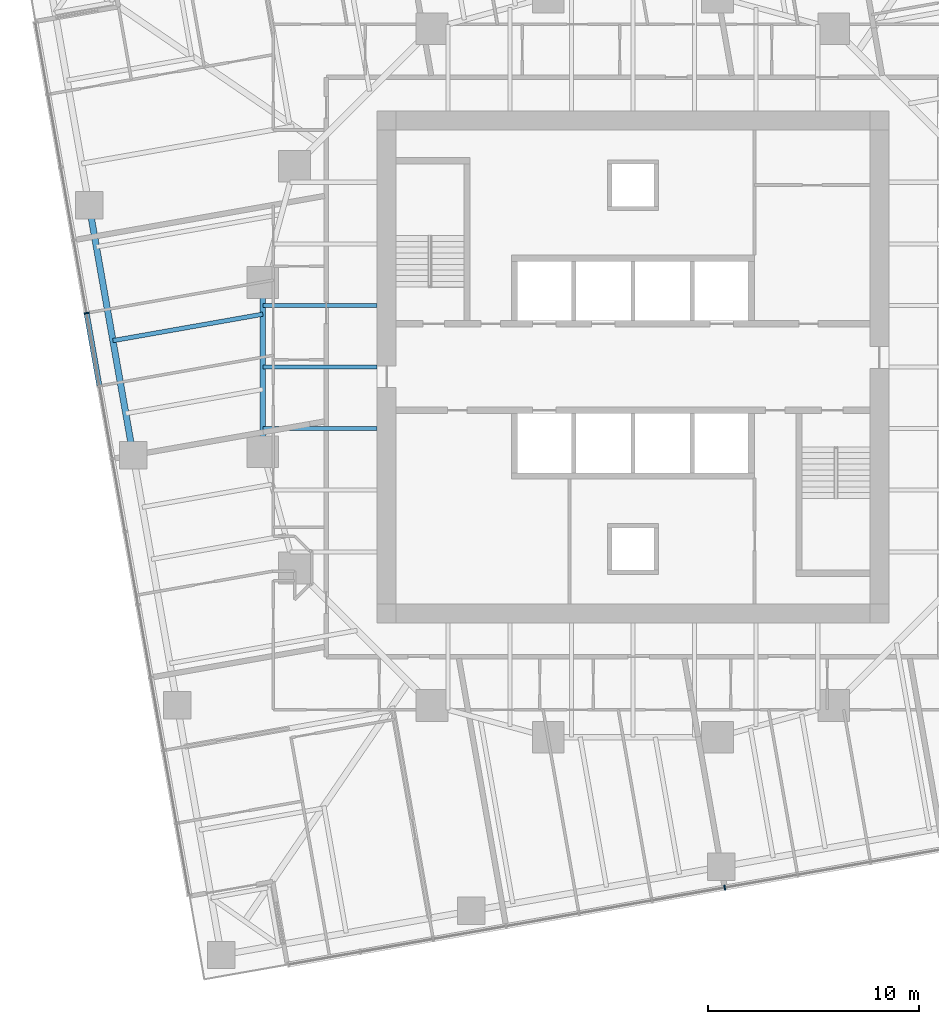
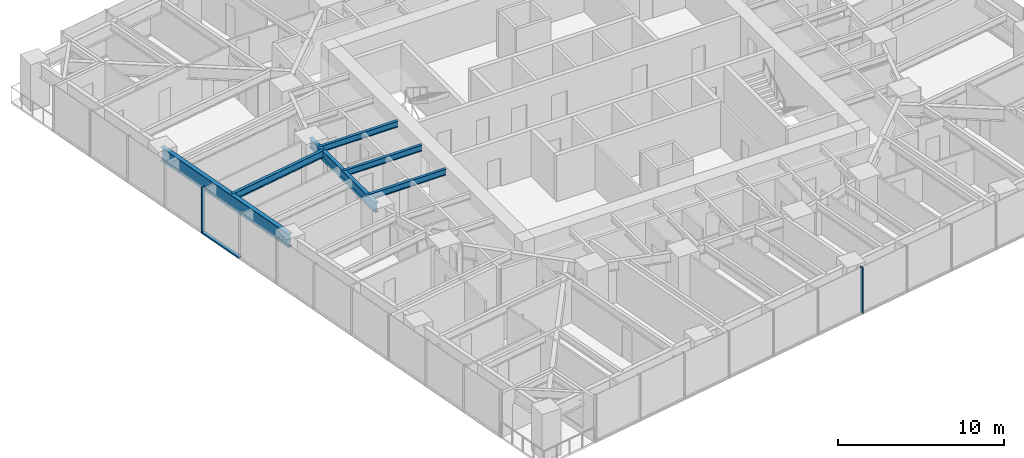
# One storey, part 3 of 14: 6 beams, 3 members, 2 elements without a shape of their own.
"""IFC4 building model written with IfcOpenShell, lengths in metres."""

import ifcopenshell
import ifcopenshell.guid

model = None  # the IFC model being written
_history = None  # IfcOwnerHistory: only IFC2X3 demands one
_inside = {}  # id of a spatial element -> (the spatial element, [elements in it])
_under = {}  # id of a project, library or spatial element -> (it, [spatial elements below it])
_declared = {}  # id of a project -> (the project, [libraries it declares])
_typed = {}  # id of a type object -> (the type object, [elements of that type])
_made_of = {}  # id of a material, layer set ... -> (it, [elements and type objects made of it])


def new_model(schema):
    """Start an empty IFC model of exactly this schema.

    Asked for "IFC4X3", IfcOpenShell would pick the latest addendum, in which some entities
    have other attributes; the version numbers below select the first issue.
    IFC2X3 requires an IfcOwnerHistory on every rooted entity: one is made here for all.
    """
    global model, _history
    if schema == "IFC4X3":
        model = ifcopenshell.file(schema_version=(4, 3, 0, 0))
    else:
        model = ifcopenshell.file(schema=schema)
    _inside.clear()
    _under.clear()
    _declared.clear()
    _typed.clear()
    _made_of.clear()
    _history = None
    if model.schema == "IFC2X3":
        org = make("IfcOrganization", Name="unknown")
        user = make(
            "IfcPersonAndOrganization",
            ThePerson=make("IfcPerson", FamilyName="unknown"),
            TheOrganization=org,
        )
        app = make(
            "IfcApplication",
            ApplicationDeveloper=org,
            Version="unknown",
            ApplicationFullName="unknown",
            ApplicationIdentifier="unknown",
        )
        _history = make(
            "IfcOwnerHistory",
            OwningUser=user,
            OwningApplication=app,
            ChangeAction="ADDED",
            CreationDate=0,
        )
    return model


def make(cls, **values):
    """One entity of the class cls with the attributes given. An attribute that is None is left unset."""
    return model.create_entity(
        cls, **{name: value for name, value in values.items() if value is not None}
    )


def rooted(cls, **values):
    """An entity with a GlobalId (a new one), such as an element, a storey or a relation."""
    return make(cls, GlobalId=ifcopenshell.guid.new(), OwnerHistory=_history, **values)


def si_unit(unit_type, name, prefix=None):
    """IfcSIUnit, for example si_unit("LENGTHUNIT", "METRE", prefix="MILLI")."""
    return make("IfcSIUnit", UnitType=unit_type, Prefix=prefix, Name=name)


def assignment(units):
    """IfcUnitAssignment: the units of a project."""
    return None if units is None else make("IfcUnitAssignment", Units=units)


def point(xyz):
    """IfcCartesianPoint."""
    return None if xyz is None else make("IfcCartesianPoint", Coordinates=xyz)


def direction(xyz):
    """IfcDirection."""
    return None if xyz is None else make("IfcDirection", DirectionRatios=xyz)


def frame(location, z_axis=None, x_axis=None):
    """IfcAxis2Placement3D, a coordinate frame: its origin and axes. An axis left out is left unset."""
    return make(
        "IfcAxis2Placement3D",
        Location=point(location),
        Axis=direction(z_axis),
        RefDirection=direction(x_axis),
    )


def frame_2d(location, x_axis=None):
    """IfcAxis2Placement2D, a coordinate frame in the plane: its origin and x axis."""
    return make(
        "IfcAxis2Placement2D", Location=point(location), RefDirection=direction(x_axis)
    )


def origin():
    """The frame at (0, 0, 0) with its axes left unset."""
    return frame((0.0, 0.0, 0.0))


def origin_2d():
    """The frame at (0, 0) in the plane with its x axis left unset."""
    return frame_2d((0.0, 0.0))


def place(relative_to, where):
    """IfcLocalPlacement: puts the frame where relative to a parent placement (None: the world)."""
    return make(
        "IfcLocalPlacement", PlacementRelTo=relative_to, RelativePlacement=where
    )


def context(
    kind, dimensions, precision=None, world=None, true_north=None, identifier=None
):
    """IfcGeometricRepresentationContext, for example the 3D "Model" context."""
    return make(
        "IfcGeometricRepresentationContext",
        ContextIdentifier=identifier,
        ContextType=kind,
        CoordinateSpaceDimension=dimensions,
        Precision=precision,
        WorldCoordinateSystem=world,
        TrueNorth=true_north,
    )


def subcontext(parent, identifier, kind, view, scale=None):
    """IfcGeometricRepresentationSubContext, for example "Body" below "Model"."""
    return make(
        "IfcGeometricRepresentationSubContext",
        ContextIdentifier=identifier,
        ContextType=kind,
        ParentContext=parent,
        TargetScale=scale,
        TargetView=view,
    )


def project(units=None, contexts=None):
    """IfcProject with its units and contexts."""
    return rooted(
        "IfcProject",
        Name="project",
        RepresentationContexts=contexts,
        UnitsInContext=assignment(units),
    )


def spatial(cls, under=None, at=None, **own):
    """A site, building, storey or space (cls), placed at a placement, below another one or the project."""
    s = rooted(cls, ObjectPlacement=at, **own)
    if under is not None:
        _under.setdefault(under.id(), (under, []))[1].append(s)
    return s


def profile(cls, at=None, kind="AREA", **sizes):
    """A parametric profile (cls). Its sizes go by their IFC names, for example OverallWidth=200.0."""
    return make(cls, ProfileType=kind, Position=at, **sizes)


def rectangle(**sizes):
    """IfcRectangleProfileDef."""
    return profile("IfcRectangleProfileDef", **sizes)


def i_section(**sizes):
    """IfcIShapeProfileDef."""
    return profile("IfcIShapeProfileDef", **sizes)


def extrude(swept, where, along, depth):
    """IfcExtrudedAreaSolid: the profile swept, set in the frame where, extruded along a direction by depth."""
    return make(
        "IfcExtrudedAreaSolid",
        SweptArea=swept,
        Position=where,
        ExtrudedDirection=direction(along),
        Depth=depth,
    )


def shape(context_of_items, identifier, shape_type, items):
    """IfcShapeRepresentation: the items that make up one representation, for example the "Body"."""
    return make(
        "IfcShapeRepresentation",
        ContextOfItems=context_of_items,
        RepresentationIdentifier=identifier,
        RepresentationType=shape_type,
        Items=items,
    )


def material(Name=None, Category=None):
    """IfcMaterial."""
    return make("IfcMaterial", Name=Name, Category=Category)


def material_profile(
    of_material, cross_section, Name=None, Category=None, Priority=None
):
    """IfcMaterialProfile: a cross section and its material."""
    return make(
        "IfcMaterialProfile",
        Name=Name,
        Material=of_material,
        Profile=cross_section,
        Priority=Priority,
        Category=Category,
    )


def profile_set(profiles, Name=None, composite=None):
    """IfcMaterialProfileSet."""
    return make(
        "IfcMaterialProfileSet",
        Name=Name,
        MaterialProfiles=profiles,
        CompositeProfile=composite,
    )


def made_of(thing, what):
    """Note that an element or type object is made of a material, layer set ...; save() writes the relation."""
    if what is not None:
        _made_of.setdefault(what.id(), (what, []))[1].append(thing)
    return thing


def type_object(cls, material=None, **own):
    """A type object (cls), such as IfcWallType, which elements share."""
    return made_of(rooted(cls, **own), material)


def element(
    cls,
    number,
    at=None,
    inside=None,
    cuts=None,
    type_object=None,
    material=None,
    context=None,
    identifier="Body",
    shape_type=None,
    held_by="IfcProductDefinitionShape",
    body=None,
    shapes=None,
    **own,
):
    """One element of the class cls, such as IfcWall. Its Tag is "e" and its number.

    at: its placement. inside: the storey or other place that contains it. cuts: it is an
    opening in that element (IfcRelVoidsElement). A single representation is given by context,
    identifier, shape_type and body (its items); several are given by shapes. held_by: the class
    of the entity that holds the representations. save() writes the other relations.
    """
    e = rooted(cls, Tag="e%d" % number, ObjectPlacement=at, **own)
    if body is not None:
        shapes = [shape(context, identifier, shape_type, body)]
    if shapes is not None:
        e.Representation = make(held_by, Representations=shapes)
    if inside is not None:
        _inside.setdefault(inside.id(), (inside, []))[1].append(e)
    if cuts is not None:
        rooted(
            "IfcRelVoidsElement", RelatingBuildingElement=cuts, RelatedOpeningElement=e
        )
    if type_object is not None:
        _typed.setdefault(type_object.id(), (type_object, []))[1].append(e)
    return made_of(e, material)


def aggregate(whole, parts):
    """IfcRelAggregates: a whole, such as a stair, and the parts it consists of."""
    return rooted("IfcRelAggregates", RelatingObject=whole, RelatedObjects=parts)


def save(model, path):
    """Write the relations noted so far, then the file.

    IfcRelAggregates (storeys below a building ...), IfcRelContainedInSpatialStructure (elements
    in a storey), IfcRelDefinesByType, IfcRelAssociatesMaterial and IfcRelDeclares: one each for
    every whole, place, type object, material and project.
    """
    for whole, parts in _under.values():
        aggregate(whole, parts)
    for where, things in _inside.values():
        rooted(
            "IfcRelContainedInSpatialStructure",
            RelatedElements=things,
            RelatingStructure=where,
        )
    for kind, things in _typed.values():
        rooted("IfcRelDefinesByType", RelatedObjects=things, RelatingType=kind)
    for what, things in _made_of.values():
        rooted("IfcRelAssociatesMaterial", RelatedObjects=things, RelatingMaterial=what)
    for by, libraries in _declared.values():
        rooted("IfcRelDeclares", RelatingContext=by, RelatedDefinitions=libraries)
    model.write(path)


model = new_model("IFC4")

# Units and contexts
model_context = context("Model", 3, precision=1e-05, world=origin(), true_north=direction((0.0, 1.0)))
body_context = subcontext(model_context, "Body", "Model", "MODEL_VIEW")
ifc_project = project(units=[si_unit("LENGTHUNIT", "METRE"), si_unit("AREAUNIT", "SQUARE_METRE"), si_unit("VOLUMEUNIT", "CUBIC_METRE"), si_unit("PLANEANGLEUNIT", "RADIAN"), si_unit("MASSUNIT", "GRAM", prefix="KILO")], contexts=[model_context])

# Site, building, storey
site_placement = place(None, origin())
site = spatial("IfcSite", under=ifc_project, at=site_placement, CompositionType="ELEMENT")
building_placement = place(site_placement, origin())
building = spatial("IfcBuilding", under=site, at=building_placement, Name="Torsade Residences", CompositionType="ELEMENT")
storey_placement = place(building_placement, frame((0.0, 0.0, 96.39990234375)))
storey = spatial("IfcBuildingStorey", under=building, at=storey_placement, Name="L26", CompositionType="ELEMENT", Elevation=96.39990234375)

# Curtain wall, member
ifc_material_1 = material(Name="Aluminium and glass", Category="aluminium")
curtain_wall_type = type_object("IfcCurtainWallType", Name="FRITTED GLASS CURTAIN WALL LOW ZONE", PredefinedType="NOTDEFINED", material=ifc_material_1)
curtain_wall_1_placement = place(storey_placement, origin())
curtain_wall_1 = element("IfcCurtainWall", 1, at=curtain_wall_1_placement, inside=storey, type_object=curtain_wall_type, Name="Curtain wall L26 face 1", PredefinedType="NOTDEFINED")
ifc_material_2 = material(Name="Aluminium mullion", Category="aluminium")
ifc_material_profile_1 = material_profile(ifc_material_2, rectangle(XDim=0.25, YDim=0.06494140625, at=origin_2d()), Name="CURTAIN WALL MULLION 250x65")
ifc_profile_set_1 = profile_set([ifc_material_profile_1], Name="Aluminium mullion")
member_type_1 = type_object("IfcMemberType", Name="CURTAIN WALL MULLION 250x65", PredefinedType="MULLION", material=ifc_profile_set_1)
member_1_placement = place(storey_placement, frame((44.34130859375, 5.3798828125, 0.0), z_axis=(0.0, 0.0, 1.0), x_axis=(-0.173648192638, 0.984807750372, 0.0)))
member_1 = element("IfcMember", 2, at=member_1_placement, type_object=member_type_1, Name="Mullion 7", PredefinedType="MULLION", context=body_context, shape_type="SweptSolid", body=[
    extrude(rectangle(XDim=0.25, YDim=0.06494140625, at=origin_2d()), origin(), (0.0, 0.0, 1.0), 3.400146484375),
])
aggregate(curtain_wall_1, [member_1])

# Curtain wall, members
curtain_wall_2_placement = place(storey_placement, origin())
curtain_wall_2 = element("IfcCurtainWall", 3, at=curtain_wall_2_placement, inside=storey, type_object=curtain_wall_type, Name="Curtain wall L26 face 10", PredefinedType="NOTDEFINED")
member_2_placement = place(storey_placement, frame((14.164306640625, 32.552490234375, 0.0), z_axis=(0.0, 0.0, 1.0), x_axis=(0.984807750372, 0.173648192638, 0.0)))
member_2 = element("IfcMember", 4, at=member_2_placement, type_object=member_type_1, Name="Mullion 5", PredefinedType="MULLION", context=body_context, shape_type="SweptSolid", body=[
    extrude(rectangle(XDim=0.25, YDim=0.06494140625, at=origin_2d()), origin(), (0.0, 0.0, 1.0), 3.400146484375),
])
ifc_material_3 = material(Name="Aluminium transom", Category="aluminium")
ifc_material_profile_2 = material_profile(ifc_material_3, rectangle(XDim=0.25, YDim=0.10009765625, at=origin_2d()), Name="CURTAIN WALL TRANSOM 250x100")
ifc_profile_set_2 = profile_set([ifc_material_profile_2], Name="Aluminium transom")
member_type_2 = type_object("IfcMemberType", Name="CURTAIN WALL TRANSOM 250x100", PredefinedType="USERDEFINED", material=ifc_profile_set_2)
member_3_placement = place(storey_placement, frame((14.169921875, 32.5205078125, 0.050048828125), z_axis=(0.17363531196, -0.984810021497, 0.0), x_axis=(0.984810021497, 0.17363531196, 0.0)))
member_3 = element("IfcMember", 5, at=member_3_placement, type_object=member_type_2, Name="Transom 5.1", ObjectType="TRANSOM", PredefinedType="USERDEFINED", context=body_context, shape_type="SweptSolid", body=[
    extrude(rectangle(XDim=0.25, YDim=0.10009765625, at=origin_2d()), origin(), (0.0, 0.0, 1.0), 3.43505859375),
])
aggregate(curtain_wall_2, [member_2, member_3])

# Beams
ifc_material_4 = material(Name="Steel grade 300", Category="steel")
ifc_material_profile_3 = material_profile(ifc_material_4, i_section(OverallWidth=0.300048828125, OverallDepth=1.0, WebThickness=0.01611328125, FlangeThickness=0.028076171875, at=origin_2d()), Name="1000WB215")
ifc_profile_set_3 = profile_set([ifc_material_profile_3], Name="Steel grade 300")
beam_type_1 = type_object("IfcBeamType", Name="EDGE BEAM 1000WB215", PredefinedType="SPANDREL", material=ifc_profile_set_3)
beam_1_placement = place(storey_placement, frame((14.28076171875, 37.650146484375, 2.75), z_axis=(0.173646056486, -0.984808127031, 0.0), x_axis=(0.984808127031, 0.173646056486, 0.0)))
element("IfcBeam", 6, at=beam_1_placement, inside=storey, type_object=beam_type_1, Name="Edge beam 14 L27", PredefinedType="SPANDREL", context=body_context, shape_type="SweptSolid", body=[
    extrude(i_section(OverallWidth=0.300048828125, OverallDepth=1.0, WebThickness=0.01611328125, FlangeThickness=0.028076171875, at=origin_2d()), origin(), (0.0, 0.0, 1.0), 12.0),
])
ifc_material_5 = material(Name="Steel grade 300", Category="steel")
ifc_material_profile_4 = material_profile(ifc_material_5, i_section(OverallWidth=0.18994140625, OverallDepth=0.4541015625, WebThickness=0.008544921875, FlangeThickness=0.0126953125, FilletRadius=0.011474609375, at=origin_2d()), Name="460UB67.1")
ifc_profile_set_4 = profile_set([ifc_material_profile_4], Name="Steel grade 300")
beam_type_2 = type_object("IfcBeamType", Name="INNER FLOOR BEAM 460UB67.1", PredefinedType="JOIST", material=ifc_profile_set_4)
for number, where, z_axis, x_axis, name in (
    (7, (27.89990234375, 32.91259765625, 3.023193359375), (-1.0, 0.0, 0.0), (0.0, -1.0, 0.0), "Inner floor beam IW03 L27"),
    (8, (27.89990234375, 30.0, 3.023193359375), (-1.0, 0.0, 0.0), (0.0, -1.0, 0.0), "Inner floor beam IW04 L27"),
    (9, (27.89990234375, 27.08740234375, 3.023193359375), (-1.0, 0.0, 0.0), (0.0, -1.0, 0.0), "Inner floor beam IW05 L27"),
):
    element("IfcBeam", number, at=place(storey_placement, frame(where, z_axis=z_axis, x_axis=x_axis)), inside=storey, type_object=beam_type_2, Name=name, PredefinedType="JOIST", context=body_context, shape_type="SweptSolid", body=[
        extrude(i_section(OverallWidth=0.18994140625, OverallDepth=0.4541015625, WebThickness=0.008544921875, FlangeThickness=0.0126953125, FilletRadius=0.011474609375, at=origin_2d()), origin(), (0.0, 0.0, 1.0), 5.39990234375),
    ])
ifc_material_6 = material(Name="Steel grade 300", Category="steel")
ifc_material_profile_5 = material_profile(ifc_material_6, i_section(OverallWidth=0.25, OverallDepth=0.699951171875, WebThickness=0.010009765625, FlangeThickness=0.02001953125, at=origin_2d()), Name="700WB130")
ifc_profile_set_5 = profile_set([ifc_material_profile_5], Name="Steel grade 300")
beam_type_3 = type_object("IfcBeamType", Name="RING GIRDER 700WB130", PredefinedType="BEAM", material=ifc_profile_set_5)
beam_2_placement = place(storey_placement, frame((22.5, 34.0, 2.900146484375), z_axis=(0.0, -1.0, 0.0), x_axis=(1.0, 0.0, 0.0)))
element("IfcBeam", 10, at=beam_2_placement, inside=storey, type_object=beam_type_3, Name="Ring girder IR09 L27", PredefinedType="BEAM", context=body_context, shape_type="SweptSolid", body=[
    extrude(i_section(OverallWidth=0.25, OverallDepth=0.699951171875, WebThickness=0.010009765625, FlangeThickness=0.02001953125, at=origin_2d()), origin(), (0.0, 0.0, 1.0), 8.0),
])
ifc_material_7 = material(Name="Steel grade 300", Category="steel")
ifc_material_profile_6 = material_profile(ifc_material_7, i_section(OverallWidth=0.208984375, OverallDepth=0.528076171875, WebThickness=0.009521484375, FlangeThickness=0.01318359375, FilletRadius=0.013916015625, at=origin_2d()), Name="530UB82.0")
ifc_profile_set_6 = profile_set([ifc_material_profile_6], Name="Steel grade 300")
beam_type_4 = type_object("IfcBeamType", Name="SECONDARY BEAM 530UB82.0", PredefinedType="JOIST", material=ifc_profile_set_6)
beam_3_placement = place(storey_placement, frame((15.40966796875, 31.248779296875, 2.986083984375), z_axis=(0.984807104535, 0.173651855324, 0.0), x_axis=(-0.173651855324, 0.984807104535, 0.0)))
element("IfcBeam", 11, at=beam_3_placement, inside=storey, type_object=beam_type_4, Name="Floor beam FW05 L27", PredefinedType="JOIST", context=body_context, shape_type="SweptSolid", body=[
    extrude(i_section(OverallWidth=0.208984375, OverallDepth=0.528076171875, WebThickness=0.009521484375, FlangeThickness=0.01318359375, FilletRadius=0.013916015625, at=origin_2d()), origin(), (0.0, 0.0, 1.0), 7.19970703125),
])

save(model, "model.ifc")
